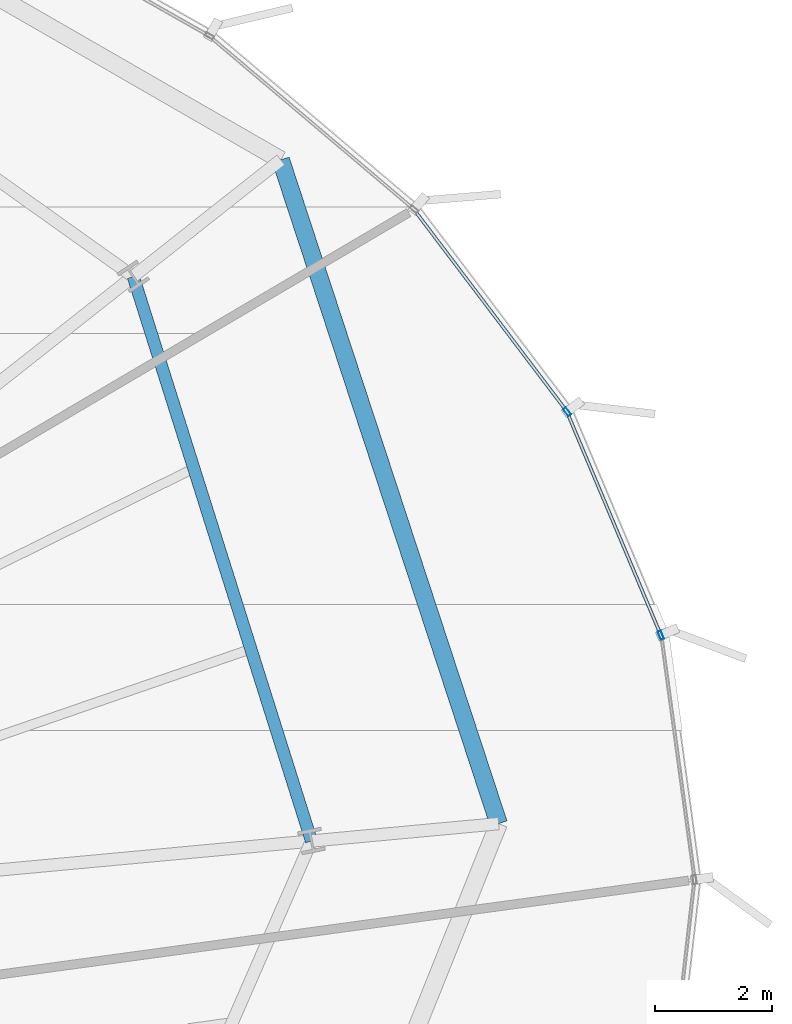
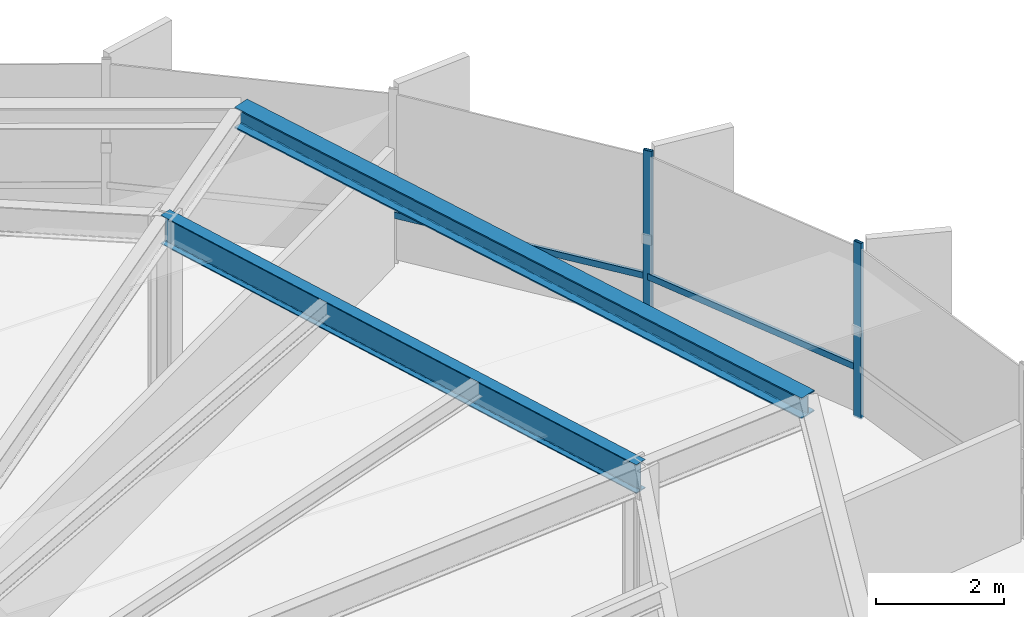
# One storey, part 24 of 35: 4 members, 2 beams, 1 element without a shape of its own.
"""IFC4 building model written with IfcOpenShell, lengths in metres."""

from ifc_helpers import new_model, si_unit, direction, frame, origin, origin_2d, place, context, subcontext, project, spatial, hollow_rectangle, i_section, extrude, source, transform, mapped, material, layer, layer_set, material_profile, profile_set, type_object, element, aggregate, save


model = new_model("IFC4")

# Units and contexts
model_context = context("Model", 3, precision=1e-05, world=origin(), true_north=direction((0.0, 1.0)))
body_context = subcontext(model_context, "Body", "Model", "MODEL_VIEW")
ifc_project = project(units=[si_unit("LENGTHUNIT", "METRE"), si_unit("AREAUNIT", "SQUARE_METRE"), si_unit("VOLUMEUNIT", "CUBIC_METRE"), si_unit("PLANEANGLEUNIT", "RADIAN"), si_unit("MASSUNIT", "GRAM", prefix="KILO"), si_unit("THERMODYNAMICTEMPERATUREUNIT", "KELVIN")], contexts=[model_context])

# Site, building, storey
site_placement = place(None, origin())
site = spatial("IfcSite", under=ifc_project, at=site_placement, CompositionType="ELEMENT")
building_placement = place(site_placement, origin())
building = spatial("IfcBuilding", under=site, at=building_placement, Name="Kethvar Cultural Tower", CompositionType="ELEMENT")
storey_placement = place(building_placement, frame((0.0, 0.0, 96.39990234375)))
storey = spatial("IfcBuildingStorey", under=building, at=storey_placement, Name="L23", CompositionType="ELEMENT", Elevation=96.39990234375)

# Beams
ifc_material_1 = material(Name="Steel S355J2", Category="steel")
ifc_material_profile_1 = material_profile(ifc_material_1, i_section(OverallWidth=0.2099609375, OverallDepth=0.550048828125, WebThickness=0.010986328125, FlangeThickness=0.01708984375, FilletRadius=0.02392578125, at=origin_2d()), Name="Steel S355J2 — IPE550")
ifc_profile_set_1 = profile_set([ifc_material_profile_1], Name="Steel S355J2 — IPE550")
beam_type_1 = type_object("IfcBeamType", Name="BM-IPE550", PredefinedType="BEAM", material=ifc_profile_set_1)
shared_shape_1 = source(origin(), body_context, "Body", "SweptSolid", [
    extrude(i_section(OverallWidth=0.2099609375, OverallDepth=0.550048828125, WebThickness=0.010986328125, FlangeThickness=0.01708984375, FilletRadius=0.02392578125, at=origin_2d()), origin(), (0.0, 0.0, 1.0), 10.079345703125),
])
beam_1_placement = place(storey_placement, frame((71.6025390625, 32.7333984375, 3.072998046875), z_axis=(-0.301007326566, 0.953621827222, 0.0), x_axis=(-0.953621827222, -0.301007326566, 0.0)))
element("IfcBeam", 1, at=beam_1_placement, inside=storey, type_object=beam_type_1, Name="L23 Column Ring Tie Beam CR-01", PredefinedType="BEAM", context=body_context, shape_type="MappedRepresentation", body=[
    mapped(shared_shape_1, transform((0.0, 0.0, 0.0), scale=1.0)),
])
ifc_material_profile_2 = material_profile(ifc_material_1, i_section(OverallWidth=0.300048828125, OverallDepth=0.39990234375, WebThickness=0.013427734375, FlangeThickness=0.02392578125, FilletRadius=0.027099609375, at=origin_2d()), Name="Steel S355J2 — HEB400")
ifc_profile_set_2 = profile_set([ifc_material_profile_2], Name="Steel S355J2 — HEB400")
beam_type_2 = type_object("IfcBeamType", Name="BM-SP400", PredefinedType="SPANDREL", material=ifc_profile_set_2)
shared_shape_2 = source(origin(), body_context, "Body", "SweptSolid", [
    extrude(i_section(OverallWidth=0.300048828125, OverallDepth=0.39990234375, WebThickness=0.013427734375, FlangeThickness=0.02392578125, FilletRadius=0.027099609375, at=origin_2d()), origin(), (0.0, 0.0, 1.0), 11.8935546875),
])
beam_2_placement = place(storey_placement, frame((74.788818359375, 33.02880859375, 3.148193359375), z_axis=(-0.311870604739, 0.95012458441, 0.0), x_axis=(-0.95012458441, -0.311870604739, 0.0)))
element("IfcBeam", 2, at=beam_2_placement, inside=storey, type_object=beam_type_2, Name="L23 Perimeter Spandrel Beam SP-01", PredefinedType="SPANDREL", context=body_context, shape_type="MappedRepresentation", body=[
    mapped(shared_shape_2, transform((0.0, 0.0, 0.0), scale=1.0)),
])

# Curtain wall, members
ifc_material_2 = material(Name="Aluminium 6063-T6", Category="aluminium")
ifc_layer = layer(ifc_material_2, 0.179931640625, Name="Aluminium 6063-T6", Category="aluminium")
ifc_layer_set = layer_set([ifc_layer], Name="Aluminium 6063-T6 (180 mm)")
curtain_wall_type = type_object("IfcCurtainWallType", Name="CW-SYS-03-Z2", PredefinedType="NOTDEFINED", material=ifc_layer_set)
curtain_wall_placement = place(storey_placement, origin())
curtain_wall = element("IfcCurtainWall", 3, at=curtain_wall_placement, inside=storey, type_object=curtain_wall_type, Name="L23 Curtain Wall Run 01", PredefinedType="NOTDEFINED")
ifc_material_profile_3 = material_profile(ifc_material_2, hollow_rectangle(XDim=0.06005859375, YDim=0.14990234375, WallThickness=0.0048828125, at=origin_2d()), Name="Aluminium 6063-T6 — RHS150x60x5")
ifc_profile_set_3 = profile_set([ifc_material_profile_3], Name="Aluminium 6063-T6 — RHS150x60x5")
member_type_1 = type_object("IfcMemberType", Name="CW-SYS-03-Z2-MUL", PredefinedType="MULLION", material=ifc_profile_set_3)
shared_shape_3 = source(origin(), body_context, "Body", "SweptSolid", [
    extrude(hollow_rectangle(XDim=0.06005859375, YDim=0.14990234375, WallThickness=0.0048828125, at=origin_2d()), origin(), (0.0, 0.0, 1.0), 3.35009765625),
])
member_1_placement = place(storey_placement, frame((77.551513671875, 36.237060546875, 0.0), z_axis=(0.0, 0.0, 1.0), x_axis=(-0.92172782697, -0.387837353782, 0.0)))
member_1 = element("IfcMember", 4, at=member_1_placement, type_object=member_type_1, Name="CW-L23-R01 Mullion 1", PredefinedType="MULLION", context=body_context, shape_type="MappedRepresentation", body=[
    mapped(shared_shape_3, transform((0.0, 0.0, 0.0), scale=1.0)),
])
member_2_placement = place(storey_placement, frame((75.95458984375, 40.0419921875, 0.0), z_axis=(0.0, 0.0, 1.0), x_axis=(-0.797152078072, -0.603778572347, 0.0)))
member_2 = element("IfcMember", 5, at=member_2_placement, type_object=member_type_1, Name="CW-L23-R01 Mullion 2", PredefinedType="MULLION", context=body_context, shape_type="MappedRepresentation", body=[
    mapped(shared_shape_3, transform((0.0, 0.0, 0.0), scale=1.0)),
])
ifc_material_profile_4 = material_profile(ifc_material_2, hollow_rectangle(XDim=0.054931640625, YDim=0.1201171875, WallThickness=0.00390625, at=origin_2d()), Name="Aluminium 6063-T6 — RHS120x55x4")
ifc_profile_set_4 = profile_set([ifc_material_profile_4], Name="Aluminium 6063-T6 — RHS120x55x4")
member_type_2 = type_object("IfcMemberType", Name="CW-SYS-03-Z2-TRN", PredefinedType="USERDEFINED", material=ifc_profile_set_4)
shared_shape_4 = source(origin(), body_context, "Body", "SweptSolid", [
    extrude(hollow_rectangle(XDim=0.054931640625, YDim=0.1201171875, WallThickness=0.00390625, at=origin_2d()), origin(), (0.0, 0.0, 1.0), 4.107177734375),
])
member_3_placement = place(storey_placement, frame((77.5498046875, 36.240966796875, 0.9501953125), z_axis=(-0.38779124895, 0.92174722524, 0.0), x_axis=(-0.92174722524, -0.38779124895, 0.0)))
member_3 = element("IfcMember", 6, at=member_3_placement, type_object=member_type_2, Name="CW-L23-R01 Transom 1", ObjectType="TRANSOM", PredefinedType="USERDEFINED", context=body_context, shape_type="MappedRepresentation", body=[
    mapped(shared_shape_4, transform((0.0, 0.0, 0.0), scale=1.0)),
])
shared_shape_5 = source(origin(), body_context, "Body", "SweptSolid", [
    extrude(hollow_rectangle(XDim=0.054931640625, YDim=0.1201171875, WallThickness=0.00390625, at=origin_2d()), origin(), (0.0, 0.0, 1.0), 4.256591796875),
])
member_4_placement = place(storey_placement, frame((75.928466796875, 40.076416015625, 0.9501953125), z_axis=(-0.603792532404, 0.79714150426, 0.0), x_axis=(-0.79714150426, -0.603792532404, 0.0)))
member_4 = element("IfcMember", 7, at=member_4_placement, type_object=member_type_2, Name="CW-L23-R01 Transom 2", ObjectType="TRANSOM", PredefinedType="USERDEFINED", context=body_context, shape_type="MappedRepresentation", body=[
    mapped(shared_shape_5, transform((0.0, 0.0, 0.0), scale=1.0)),
])
aggregate(curtain_wall, [member_1, member_2, member_3, member_4])

save(model, "model.ifc")
